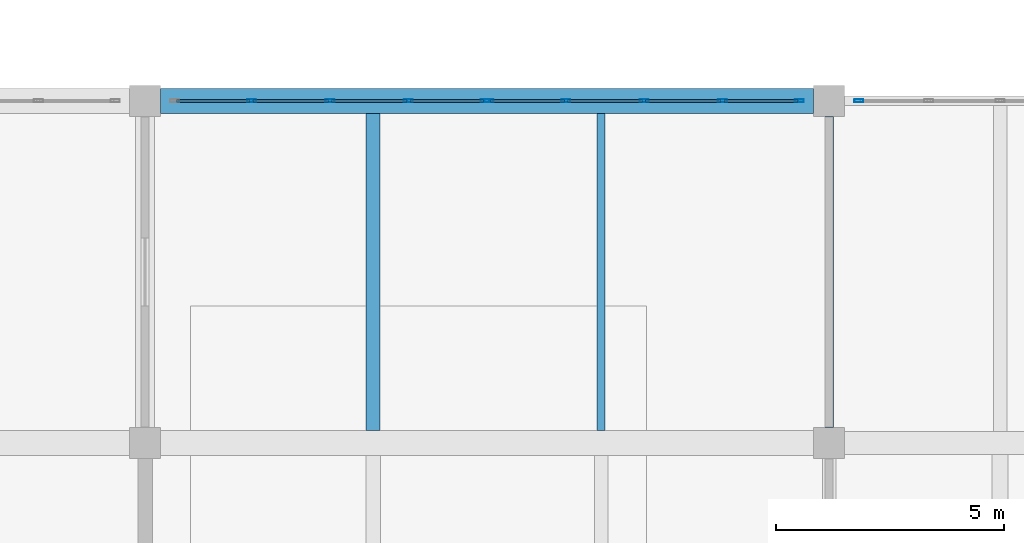
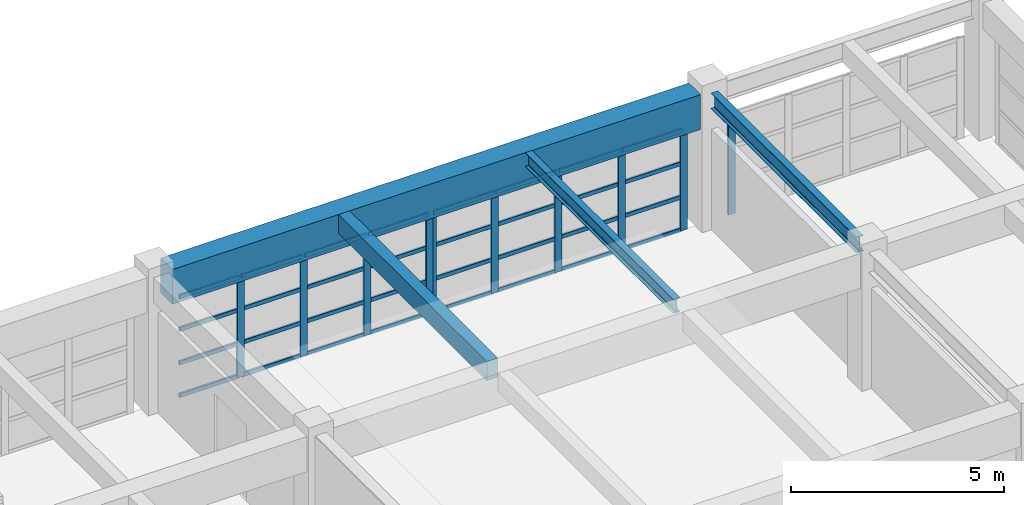
# One storey, part 21 of 132: 42 members, 4 beams, 3 elements without a shape of their own.
"""IFC4 building model written with IfcOpenShell, lengths in metres."""

import ifcopenshell
import ifcopenshell.guid

model = None  # the IFC model being written
_history = None  # IfcOwnerHistory: only IFC2X3 demands one
_inside = {}  # id of a spatial element -> (the spatial element, [elements in it])
_under = {}  # id of a project, library or spatial element -> (it, [spatial elements below it])
_declared = {}  # id of a project -> (the project, [libraries it declares])
_typed = {}  # id of a type object -> (the type object, [elements of that type])
_made_of = {}  # id of a material, layer set ... -> (it, [elements and type objects made of it])


def new_model(schema):
    """Start an empty IFC model of exactly this schema.

    Asked for "IFC4X3", IfcOpenShell would pick the latest addendum, in which some entities
    have other attributes; the version numbers below select the first issue.
    IFC2X3 requires an IfcOwnerHistory on every rooted entity: one is made here for all.
    """
    global model, _history
    if schema == "IFC4X3":
        model = ifcopenshell.file(schema_version=(4, 3, 0, 0))
    else:
        model = ifcopenshell.file(schema=schema)
    _inside.clear()
    _under.clear()
    _declared.clear()
    _typed.clear()
    _made_of.clear()
    _history = None
    if model.schema == "IFC2X3":
        org = make("IfcOrganization", Name="unknown")
        user = make(
            "IfcPersonAndOrganization",
            ThePerson=make("IfcPerson", FamilyName="unknown"),
            TheOrganization=org,
        )
        app = make(
            "IfcApplication",
            ApplicationDeveloper=org,
            Version="unknown",
            ApplicationFullName="unknown",
            ApplicationIdentifier="unknown",
        )
        _history = make(
            "IfcOwnerHistory",
            OwningUser=user,
            OwningApplication=app,
            ChangeAction="ADDED",
            CreationDate=0,
        )
    return model


def make(cls, **values):
    """One entity of the class cls with the attributes given. An attribute that is None is left unset."""
    return model.create_entity(
        cls, **{name: value for name, value in values.items() if value is not None}
    )


def rooted(cls, **values):
    """An entity with a GlobalId (a new one), such as an element, a storey or a relation."""
    return make(cls, GlobalId=ifcopenshell.guid.new(), OwnerHistory=_history, **values)


def si_unit(unit_type, name, prefix=None):
    """IfcSIUnit, for example si_unit("LENGTHUNIT", "METRE", prefix="MILLI")."""
    return make("IfcSIUnit", UnitType=unit_type, Prefix=prefix, Name=name)


def assignment(units):
    """IfcUnitAssignment: the units of a project."""
    return None if units is None else make("IfcUnitAssignment", Units=units)


def point(xyz):
    """IfcCartesianPoint."""
    return None if xyz is None else make("IfcCartesianPoint", Coordinates=xyz)


def direction(xyz):
    """IfcDirection."""
    return None if xyz is None else make("IfcDirection", DirectionRatios=xyz)


def frame(location, z_axis=None, x_axis=None):
    """IfcAxis2Placement3D, a coordinate frame: its origin and axes. An axis left out is left unset."""
    return make(
        "IfcAxis2Placement3D",
        Location=point(location),
        Axis=direction(z_axis),
        RefDirection=direction(x_axis),
    )


def frame_2d(location, x_axis=None):
    """IfcAxis2Placement2D, a coordinate frame in the plane: its origin and x axis."""
    return make(
        "IfcAxis2Placement2D", Location=point(location), RefDirection=direction(x_axis)
    )


def origin():
    """The frame at (0, 0, 0) with its axes left unset."""
    return frame((0.0, 0.0, 0.0))


def origin_2d():
    """The frame at (0, 0) in the plane with its x axis left unset."""
    return frame_2d((0.0, 0.0))


def place(relative_to, where):
    """IfcLocalPlacement: puts the frame where relative to a parent placement (None: the world)."""
    return make(
        "IfcLocalPlacement", PlacementRelTo=relative_to, RelativePlacement=where
    )


def context(
    kind, dimensions, precision=None, world=None, true_north=None, identifier=None
):
    """IfcGeometricRepresentationContext, for example the 3D "Model" context."""
    return make(
        "IfcGeometricRepresentationContext",
        ContextIdentifier=identifier,
        ContextType=kind,
        CoordinateSpaceDimension=dimensions,
        Precision=precision,
        WorldCoordinateSystem=world,
        TrueNorth=true_north,
    )


def subcontext(parent, identifier, kind, view, scale=None):
    """IfcGeometricRepresentationSubContext, for example "Body" below "Model"."""
    return make(
        "IfcGeometricRepresentationSubContext",
        ContextIdentifier=identifier,
        ContextType=kind,
        ParentContext=parent,
        TargetScale=scale,
        TargetView=view,
    )


def project(units=None, contexts=None):
    """IfcProject with its units and contexts."""
    return rooted(
        "IfcProject",
        Name="project",
        RepresentationContexts=contexts,
        UnitsInContext=assignment(units),
    )


def spatial(cls, under=None, at=None, **own):
    """A site, building, storey or space (cls), placed at a placement, below another one or the project."""
    s = rooted(cls, ObjectPlacement=at, **own)
    if under is not None:
        _under.setdefault(under.id(), (under, []))[1].append(s)
    return s


def profile(cls, at=None, kind="AREA", **sizes):
    """A parametric profile (cls). Its sizes go by their IFC names, for example OverallWidth=200.0."""
    return make(cls, ProfileType=kind, Position=at, **sizes)


def rectangle(**sizes):
    """IfcRectangleProfileDef."""
    return profile("IfcRectangleProfileDef", **sizes)


def hollow_rectangle(**sizes):
    """IfcRectangleHollowProfileDef."""
    return profile("IfcRectangleHollowProfileDef", **sizes)


def i_section(**sizes):
    """IfcIShapeProfileDef."""
    return profile("IfcIShapeProfileDef", **sizes)


def extrude(swept, where, along, depth):
    """IfcExtrudedAreaSolid: the profile swept, set in the frame where, extruded along a direction by depth."""
    return make(
        "IfcExtrudedAreaSolid",
        SweptArea=swept,
        Position=where,
        ExtrudedDirection=direction(along),
        Depth=depth,
    )


def shape(context_of_items, identifier, shape_type, items):
    """IfcShapeRepresentation: the items that make up one representation, for example the "Body"."""
    return make(
        "IfcShapeRepresentation",
        ContextOfItems=context_of_items,
        RepresentationIdentifier=identifier,
        RepresentationType=shape_type,
        Items=items,
    )


def material(Name=None, Category=None):
    """IfcMaterial."""
    return make("IfcMaterial", Name=Name, Category=Category)


def material_profile(
    of_material, cross_section, Name=None, Category=None, Priority=None
):
    """IfcMaterialProfile: a cross section and its material."""
    return make(
        "IfcMaterialProfile",
        Name=Name,
        Material=of_material,
        Profile=cross_section,
        Priority=Priority,
        Category=Category,
    )


def profile_set(profiles, Name=None, composite=None):
    """IfcMaterialProfileSet."""
    return make(
        "IfcMaterialProfileSet",
        Name=Name,
        MaterialProfiles=profiles,
        CompositeProfile=composite,
    )


def made_of(thing, what):
    """Note that an element or type object is made of a material, layer set ...; save() writes the relation."""
    if what is not None:
        _made_of.setdefault(what.id(), (what, []))[1].append(thing)
    return thing


def type_object(cls, material=None, **own):
    """A type object (cls), such as IfcWallType, which elements share."""
    return made_of(rooted(cls, **own), material)


def element(
    cls,
    number,
    at=None,
    inside=None,
    cuts=None,
    type_object=None,
    material=None,
    context=None,
    identifier="Body",
    shape_type=None,
    held_by="IfcProductDefinitionShape",
    body=None,
    shapes=None,
    **own,
):
    """One element of the class cls, such as IfcWall. Its Tag is "e" and its number.

    at: its placement. inside: the storey or other place that contains it. cuts: it is an
    opening in that element (IfcRelVoidsElement). A single representation is given by context,
    identifier, shape_type and body (its items); several are given by shapes. held_by: the class
    of the entity that holds the representations. save() writes the other relations.
    """
    e = rooted(cls, Tag="e%d" % number, ObjectPlacement=at, **own)
    if body is not None:
        shapes = [shape(context, identifier, shape_type, body)]
    if shapes is not None:
        e.Representation = make(held_by, Representations=shapes)
    if inside is not None:
        _inside.setdefault(inside.id(), (inside, []))[1].append(e)
    if cuts is not None:
        rooted(
            "IfcRelVoidsElement", RelatingBuildingElement=cuts, RelatedOpeningElement=e
        )
    if type_object is not None:
        _typed.setdefault(type_object.id(), (type_object, []))[1].append(e)
    return made_of(e, material)


def aggregate(whole, parts):
    """IfcRelAggregates: a whole, such as a stair, and the parts it consists of."""
    return rooted("IfcRelAggregates", RelatingObject=whole, RelatedObjects=parts)


def save(model, path):
    """Write the relations noted so far, then the file.

    IfcRelAggregates (storeys below a building ...), IfcRelContainedInSpatialStructure (elements
    in a storey), IfcRelDefinesByType, IfcRelAssociatesMaterial and IfcRelDeclares: one each for
    every whole, place, type object, material and project.
    """
    for whole, parts in _under.values():
        aggregate(whole, parts)
    for where, things in _inside.values():
        rooted(
            "IfcRelContainedInSpatialStructure",
            RelatedElements=things,
            RelatingStructure=where,
        )
    for kind, things in _typed.values():
        rooted("IfcRelDefinesByType", RelatedObjects=things, RelatingType=kind)
    for what, things in _made_of.values():
        rooted("IfcRelAssociatesMaterial", RelatedObjects=things, RelatingMaterial=what)
    for by, libraries in _declared.values():
        rooted("IfcRelDeclares", RelatingContext=by, RelatedDefinitions=libraries)
    model.write(path)


model = new_model("IFC4")

# Units and contexts
model_context = context("Model", 3, precision=1e-05, world=origin(), true_north=direction((0.0, 1.0)))
body_context = subcontext(model_context, "Body", "Model", "MODEL_VIEW")
ifc_project = project(units=[si_unit("LENGTHUNIT", "METRE"), si_unit("AREAUNIT", "SQUARE_METRE"), si_unit("VOLUMEUNIT", "CUBIC_METRE"), si_unit("PLANEANGLEUNIT", "RADIAN"), si_unit("MASSUNIT", "GRAM", prefix="KILO")], contexts=[model_context])

# Site, building, storey
site_placement = place(None, origin())
site = spatial("IfcSite", under=ifc_project, at=site_placement, CompositionType="ELEMENT")
building_placement = place(site_placement, origin())
building = spatial("IfcBuilding", under=site, at=building_placement, Name="Qasida Concert Hall", CompositionType="ELEMENT")
storey_placement = place(building_placement, frame((0.0, 0.0, 4.800048828125)))
storey = spatial("IfcBuildingStorey", under=building, at=storey_placement, Name="L01", CompositionType="ELEMENT", Elevation=4.800048828125)

# Beams
ifc_material_1 = material(Name="Steel S355J2", Category="steel")
ifc_material_profile_1 = material_profile(ifc_material_1, i_section(OverallWidth=0.18994140625, OverallDepth=0.449951171875, WebThickness=0.009521484375, FlangeThickness=0.0146484375, FilletRadius=0.02099609375, at=origin_2d()), Name="IPE 450")
ifc_profile_set_1 = profile_set([ifc_material_profile_1], Name="Steel S355J2")
beam_type_1 = type_object("IfcBeamType", Name="BM-B5", PredefinedType="BEAM", material=ifc_profile_set_1)
beam_1_placement = place(storey_placement, frame((30.0, 45.340087890625, 3.695068359375), z_axis=(0.0, 1.0, 0.0), x_axis=(-1.0, 0.0, 0.0)))
element("IfcBeam", 1, at=beam_1_placement, inside=storey, type_object=beam_type_1, Name="L01 girder 0940", PredefinedType="BEAM", context=body_context, shape_type="SweptSolid", body=[
    extrude(i_section(OverallWidth=0.18994140625, OverallDepth=0.449951171875, WebThickness=0.009521484375, FlangeThickness=0.0146484375, FilletRadius=0.02099609375, at=origin_2d()), origin(), (0.0, 0.0, 1.0), 6.81982421875),
])
ifc_material_2 = material(Name="Concrete C40/50", Category="concrete")
ifc_material_profile_2 = material_profile(ifc_material_2, rectangle(XDim=0.550048828125, YDim=1.0, at=origin_2d()), Name="RC 550x1000")
ifc_profile_set_2 = profile_set([ifc_material_profile_2], Name="Concrete C40/50")
beam_type_2 = type_object("IfcBeamType", Name="BM-G3", PredefinedType="USERDEFINED", material=ifc_profile_set_2)
beam_2_placement = place(storey_placement, frame((15.340087890625, 52.5, 3.419921875), z_axis=(1.0, 0.0, 0.0), x_axis=(0.0, 1.0, 0.0)))
element("IfcBeam", 2, at=beam_2_placement, inside=storey, type_object=beam_type_2, Name="Primary girder 0918", ObjectType="GIRDER", PredefinedType="USERDEFINED", context=body_context, shape_type="SweptSolid", body=[
    extrude(rectangle(XDim=0.550048828125, YDim=1.0, at=origin_2d()), origin(), (0.0, 0.0, 1.0), 14.31982421875),
])
ifc_material_profile_3 = material_profile(ifc_material_2, rectangle(XDim=0.300048828125, YDim=0.550048828125, at=origin_2d()), Name="RC 300x550")
ifc_profile_set_3 = profile_set([ifc_material_profile_3], Name="Concrete C40/50")
beam_type_3 = type_object("IfcBeamType", Name="BM-J1", PredefinedType="JOIST", material=ifc_profile_set_3)
beam_3_placement = place(storey_placement, frame((20.0, 45.27490234375, 3.64501953125), z_axis=(0.0, 1.0, 0.0), x_axis=(-1.0, 0.0, 0.0)))
element("IfcBeam", 3, at=beam_3_placement, inside=storey, type_object=beam_type_3, Name="L01 secondary joist 0968", PredefinedType="JOIST", context=body_context, shape_type="SweptSolid", body=[
    extrude(rectangle(XDim=0.300048828125, YDim=0.550048828125, at=origin_2d()), origin(), (0.0, 0.0, 1.0), 6.9501953125),
])
ifc_material_profile_4 = material_profile(ifc_material_1, i_section(OverallWidth=0.179931640625, OverallDepth=0.39990234375, WebThickness=0.008544921875, FlangeThickness=0.013427734375, FilletRadius=0.02099609375, at=origin_2d()), Name="IPE 400")
ifc_profile_set_4 = profile_set([ifc_material_profile_4], Name="Steel S355J2")
beam_type_4 = type_object("IfcBeamType", Name="BM-J3", PredefinedType="JOIST", material=ifc_profile_set_4)
beam_4_placement = place(storey_placement, frame((25.0, 45.27490234375, 3.719970703125), z_axis=(0.0, 1.0, 0.0), x_axis=(-1.0, 0.0, 0.0)))
element("IfcBeam", 4, at=beam_4_placement, inside=storey, type_object=beam_type_4, Name="L01 secondary joist 0969", PredefinedType="JOIST", context=body_context, shape_type="SweptSolid", body=[
    extrude(i_section(OverallWidth=0.179931640625, OverallDepth=0.39990234375, WebThickness=0.008544921875, FlangeThickness=0.013427734375, FilletRadius=0.02099609375, at=origin_2d()), origin(), (0.0, 0.0, 1.0), 6.9501953125),
])

# Curtain wall, members
ifc_material_3 = material(Name="Architectural bronze-anodized aluminium and low-E glass", Category="aluminium")
curtain_wall_type = type_object("IfcCurtainWallType", Name="CW-07", PredefinedType="NOTDEFINED", material=ifc_material_3)
curtain_wall_1_placement = place(storey_placement, origin())
curtain_wall_1 = element("IfcCurtainWall", 5, at=curtain_wall_1_placement, inside=storey, type_object=curtain_wall_type, Name="L01 curtain wall CW-07 0086", PredefinedType="NOTDEFINED")
ifc_material_4 = material(Name="Architectural bronze-anodized aluminium EN AW-6063", Category="aluminium")
ifc_material_profile_5 = material_profile(ifc_material_4, hollow_rectangle(XDim=0.06494140625, YDim=0.199951171875, WallThickness=0.0048828125, InnerFilletRadius=0.0048828125, OuterFilletRadius=0.010009765625, at=origin_2d()), Name="CWM 200x65x5")
ifc_profile_set_5 = profile_set([ifc_material_profile_5], Name="Architectural bronze-anodized aluminium EN AW-6063")
member_type_1 = type_object("IfcMemberType", Name="MB-CWM-2", PredefinedType="MULLION", material=ifc_profile_set_5)
member_1_placement = place(storey_placement, frame((17.33740234375, 52.5, 0.0), z_axis=(0.0, 0.0, 1.0), x_axis=(0.0, 1.0, 0.0)))
member_1 = element("IfcMember", 6, at=member_1_placement, type_object=member_type_1, Name="CW-07 mullion 2", PredefinedType="MULLION", context=body_context, shape_type="SweptSolid", body=[
    extrude(hollow_rectangle(XDim=0.06494140625, YDim=0.199951171875, WallThickness=0.0048828125, InnerFilletRadius=0.0048828125, OuterFilletRadius=0.010009765625, at=origin_2d()), origin(), (0.0, 0.0, 1.0), 2.889892578125),
])
member_2_placement = place(storey_placement, frame((19.054931640625, 52.5, 0.0), z_axis=(0.0, 0.0, 1.0), x_axis=(0.0, 1.0, 0.0)))
member_2 = element("IfcMember", 7, at=member_2_placement, type_object=member_type_1, Name="CW-07 mullion 3", PredefinedType="MULLION", context=body_context, shape_type="SweptSolid", body=[
    extrude(hollow_rectangle(XDim=0.06494140625, YDim=0.199951171875, WallThickness=0.0048828125, InnerFilletRadius=0.0048828125, OuterFilletRadius=0.010009765625, at=origin_2d()), origin(), (0.0, 0.0, 1.0), 2.889892578125),
])
member_3_placement = place(storey_placement, frame((20.7724609375, 52.5, 0.0), z_axis=(0.0, 0.0, 1.0), x_axis=(0.0, 1.0, 0.0)))
member_3 = element("IfcMember", 8, at=member_3_placement, type_object=member_type_1, Name="CW-07 mullion 4", PredefinedType="MULLION", context=body_context, shape_type="SweptSolid", body=[
    extrude(hollow_rectangle(XDim=0.06494140625, YDim=0.199951171875, WallThickness=0.0048828125, InnerFilletRadius=0.0048828125, OuterFilletRadius=0.010009765625, at=origin_2d()), origin(), (0.0, 0.0, 1.0), 2.889892578125),
])
member_4_placement = place(storey_placement, frame((22.45751953125, 52.5, 0.0), z_axis=(0.0, 0.0, 1.0), x_axis=(0.0, 1.0, 0.0)))
member_4 = element("IfcMember", 9, at=member_4_placement, type_object=member_type_1, Name="CW-07 mullion 5", PredefinedType="MULLION", context=body_context, shape_type="SweptSolid", body=[
    extrude(hollow_rectangle(XDim=0.06494140625, YDim=0.199951171875, WallThickness=0.0048828125, InnerFilletRadius=0.0048828125, OuterFilletRadius=0.010009765625, at=origin_2d()), origin(), (0.0, 0.0, 1.0), 2.889892578125),
])

curtain_wall_2_placement = place(storey_placement, origin())
curtain_wall_2 = element("IfcCurtainWall", 10, at=curtain_wall_2_placement, inside=storey, type_object=curtain_wall_type, Name="L01 curtain wall CW-07 0088", PredefinedType="NOTDEFINED")
member_5_placement = place(storey_placement, frame((22.54248046875, 52.5, 0.0), z_axis=(0.0, 0.0, 1.0), x_axis=(0.0, 1.0, 0.0)))
member_5 = element("IfcMember", 11, at=member_5_placement, type_object=member_type_1, Name="CW-07 mullion 1", PredefinedType="MULLION", context=body_context, shape_type="SweptSolid", body=[
    extrude(hollow_rectangle(XDim=0.06494140625, YDim=0.199951171875, WallThickness=0.0048828125, InnerFilletRadius=0.0048828125, OuterFilletRadius=0.010009765625, at=origin_2d()), origin(), (0.0, 0.0, 1.0), 2.889892578125),
])
member_6_placement = place(storey_placement, frame((24.2275390625, 52.5, 0.0), z_axis=(0.0, 0.0, 1.0), x_axis=(0.0, 1.0, 0.0)))
member_6 = element("IfcMember", 12, at=member_6_placement, type_object=member_type_1, Name="CW-07 mullion 2", PredefinedType="MULLION", context=body_context, shape_type="SweptSolid", body=[
    extrude(hollow_rectangle(XDim=0.06494140625, YDim=0.199951171875, WallThickness=0.0048828125, InnerFilletRadius=0.0048828125, OuterFilletRadius=0.010009765625, at=origin_2d()), origin(), (0.0, 0.0, 1.0), 2.889892578125),
])
member_7_placement = place(storey_placement, frame((25.945068359375, 52.5, 0.0), z_axis=(0.0, 0.0, 1.0), x_axis=(0.0, 1.0, 0.0)))
member_7 = element("IfcMember", 13, at=member_7_placement, type_object=member_type_1, Name="CW-07 mullion 3", PredefinedType="MULLION", context=body_context, shape_type="SweptSolid", body=[
    extrude(hollow_rectangle(XDim=0.06494140625, YDim=0.199951171875, WallThickness=0.0048828125, InnerFilletRadius=0.0048828125, OuterFilletRadius=0.010009765625, at=origin_2d()), origin(), (0.0, 0.0, 1.0), 2.889892578125),
])
member_8_placement = place(storey_placement, frame((27.66259765625, 52.5, 0.0), z_axis=(0.0, 0.0, 1.0), x_axis=(0.0, 1.0, 0.0)))
member_8 = element("IfcMember", 14, at=member_8_placement, type_object=member_type_1, Name="CW-07 mullion 4", PredefinedType="MULLION", context=body_context, shape_type="SweptSolid", body=[
    extrude(hollow_rectangle(XDim=0.06494140625, YDim=0.199951171875, WallThickness=0.0048828125, InnerFilletRadius=0.0048828125, OuterFilletRadius=0.010009765625, at=origin_2d()), origin(), (0.0, 0.0, 1.0), 2.889892578125),
])
member_9_placement = place(storey_placement, frame((29.347412109375, 52.5, 0.0), z_axis=(0.0, 0.0, 1.0), x_axis=(0.0, 1.0, 0.0)))
member_9 = element("IfcMember", 15, at=member_9_placement, type_object=member_type_1, Name="CW-07 mullion 5", PredefinedType="MULLION", context=body_context, shape_type="SweptSolid", body=[
    extrude(hollow_rectangle(XDim=0.06494140625, YDim=0.199951171875, WallThickness=0.0048828125, InnerFilletRadius=0.0048828125, OuterFilletRadius=0.010009765625, at=origin_2d()), origin(), (0.0, 0.0, 1.0), 2.889892578125),
])

# Curtain wall, member
curtain_wall_3_placement = place(storey_placement, origin())
curtain_wall_3 = element("IfcCurtainWall", 16, at=curtain_wall_3_placement, inside=storey, type_object=curtain_wall_type, Name="L01 curtain wall CW-07 0090", PredefinedType="NOTDEFINED")
member_10_placement = place(storey_placement, frame((30.652587890625, 52.5, 0.0), z_axis=(0.0, 0.0, 1.0), x_axis=(0.0, 1.0, 0.0)))
member_10 = element("IfcMember", 17, at=member_10_placement, type_object=member_type_1, Name="CW-07 mullion 1", PredefinedType="MULLION", context=body_context, shape_type="SweptSolid", body=[
    extrude(hollow_rectangle(XDim=0.06494140625, YDim=0.199951171875, WallThickness=0.0048828125, InnerFilletRadius=0.0048828125, OuterFilletRadius=0.010009765625, at=origin_2d()), origin(), (0.0, 0.0, 1.0), 2.889892578125),
])
aggregate(curtain_wall_3, [member_10])

# Member
ifc_material_profile_6 = material_profile(ifc_material_4, hollow_rectangle(XDim=0.06005859375, YDim=0.1201171875, WallThickness=0.00390625, InnerFilletRadius=0.00390625, OuterFilletRadius=0.008056640625, at=origin_2d()), Name="CWT 120x60x4")
ifc_profile_set_6 = profile_set([ifc_material_profile_6], Name="Architectural bronze-anodized aluminium EN AW-6063")
member_type_2 = type_object("IfcMemberType", Name="MB-CWT-2", PredefinedType="USERDEFINED", material=ifc_profile_set_6)
member_11_placement = place(storey_placement, frame((15.68505859375, 52.5, 0.030029296875), z_axis=(1.0, 0.0, 0.0), x_axis=(0.0, 1.0, 0.0)))
member_11 = element("IfcMember", 18, at=member_11_placement, type_object=member_type_2, Name="CW-07 transom 1.1", ObjectType="TRANSOM", PredefinedType="USERDEFINED", context=body_context, shape_type="SweptSolid", body=[
    extrude(hollow_rectangle(XDim=0.06005859375, YDim=0.1201171875, WallThickness=0.00390625, InnerFilletRadius=0.00390625, OuterFilletRadius=0.008056640625, at=origin_2d()), origin(), (0.0, 0.0, 1.0), 1.619873046875),
])

member_12_placement = place(storey_placement, frame((15.68505859375, 52.5, 0.963134765625), z_axis=(1.0, 0.0, 0.0), x_axis=(0.0, 1.0, 0.0)))
member_12 = element("IfcMember", 19, at=member_12_placement, type_object=member_type_2, Name="CW-07 transom 1.2", ObjectType="TRANSOM", PredefinedType="USERDEFINED", context=body_context, shape_type="SweptSolid", body=[
    extrude(hollow_rectangle(XDim=0.06005859375, YDim=0.1201171875, WallThickness=0.00390625, InnerFilletRadius=0.00390625, OuterFilletRadius=0.008056640625, at=origin_2d()), origin(), (0.0, 0.0, 1.0), 1.619873046875),
])

member_13_placement = place(storey_placement, frame((15.68505859375, 52.5, 1.9267578125), z_axis=(1.0, 0.0, 0.0), x_axis=(0.0, 1.0, 0.0)))
member_13 = element("IfcMember", 20, at=member_13_placement, type_object=member_type_2, Name="CW-07 transom 1.3", ObjectType="TRANSOM", PredefinedType="USERDEFINED", context=body_context, shape_type="SweptSolid", body=[
    extrude(hollow_rectangle(XDim=0.06005859375, YDim=0.1201171875, WallThickness=0.00390625, InnerFilletRadius=0.00390625, OuterFilletRadius=0.008056640625, at=origin_2d()), origin(), (0.0, 0.0, 1.0), 1.619873046875),
])

member_14_placement = place(storey_placement, frame((15.68505859375, 52.5, 2.85986328125), z_axis=(1.0, 0.0, 0.0), x_axis=(0.0, 1.0, 0.0)))
member_14 = element("IfcMember", 21, at=member_14_placement, type_object=member_type_2, Name="CW-07 transom 1.4", ObjectType="TRANSOM", PredefinedType="USERDEFINED", context=body_context, shape_type="SweptSolid", body=[
    extrude(hollow_rectangle(XDim=0.06005859375, YDim=0.1201171875, WallThickness=0.00390625, InnerFilletRadius=0.00390625, OuterFilletRadius=0.008056640625, at=origin_2d()), origin(), (0.0, 0.0, 1.0), 1.619873046875),
])

member_15_placement = place(storey_placement, frame((17.3701171875, 52.5, 0.030029296875), z_axis=(1.0, 0.0, 0.0), x_axis=(0.0, 1.0, 0.0)))
member_15 = element("IfcMember", 22, at=member_15_placement, type_object=member_type_2, Name="CW-07 transom 2.1", ObjectType="TRANSOM", PredefinedType="USERDEFINED", context=body_context, shape_type="SweptSolid", body=[
    extrude(hollow_rectangle(XDim=0.06005859375, YDim=0.1201171875, WallThickness=0.00390625, InnerFilletRadius=0.00390625, OuterFilletRadius=0.008056640625, at=origin_2d()), origin(), (0.0, 0.0, 1.0), 1.65234375),
])

member_16_placement = place(storey_placement, frame((17.3701171875, 52.5, 0.963134765625), z_axis=(1.0, 0.0, 0.0), x_axis=(0.0, 1.0, 0.0)))
member_16 = element("IfcMember", 23, at=member_16_placement, type_object=member_type_2, Name="CW-07 transom 2.2", ObjectType="TRANSOM", PredefinedType="USERDEFINED", context=body_context, shape_type="SweptSolid", body=[
    extrude(hollow_rectangle(XDim=0.06005859375, YDim=0.1201171875, WallThickness=0.00390625, InnerFilletRadius=0.00390625, OuterFilletRadius=0.008056640625, at=origin_2d()), origin(), (0.0, 0.0, 1.0), 1.65234375),
])

member_17_placement = place(storey_placement, frame((17.3701171875, 52.5, 1.9267578125), z_axis=(1.0, 0.0, 0.0), x_axis=(0.0, 1.0, 0.0)))
member_17 = element("IfcMember", 24, at=member_17_placement, type_object=member_type_2, Name="CW-07 transom 2.3", ObjectType="TRANSOM", PredefinedType="USERDEFINED", context=body_context, shape_type="SweptSolid", body=[
    extrude(hollow_rectangle(XDim=0.06005859375, YDim=0.1201171875, WallThickness=0.00390625, InnerFilletRadius=0.00390625, OuterFilletRadius=0.008056640625, at=origin_2d()), origin(), (0.0, 0.0, 1.0), 1.65234375),
])

member_18_placement = place(storey_placement, frame((17.3701171875, 52.5, 2.85986328125), z_axis=(1.0, 0.0, 0.0), x_axis=(0.0, 1.0, 0.0)))
member_18 = element("IfcMember", 25, at=member_18_placement, type_object=member_type_2, Name="CW-07 transom 2.4", ObjectType="TRANSOM", PredefinedType="USERDEFINED", context=body_context, shape_type="SweptSolid", body=[
    extrude(hollow_rectangle(XDim=0.06005859375, YDim=0.1201171875, WallThickness=0.00390625, InnerFilletRadius=0.00390625, OuterFilletRadius=0.008056640625, at=origin_2d()), origin(), (0.0, 0.0, 1.0), 1.65234375),
])

member_19_placement = place(storey_placement, frame((19.08740234375, 52.5, 0.030029296875), z_axis=(1.0, 0.0, 0.0), x_axis=(0.0, 1.0, 0.0)))
member_19 = element("IfcMember", 26, at=member_19_placement, type_object=member_type_2, Name="CW-07 transom 3.1", ObjectType="TRANSOM", PredefinedType="USERDEFINED", context=body_context, shape_type="SweptSolid", body=[
    extrude(hollow_rectangle(XDim=0.06005859375, YDim=0.1201171875, WallThickness=0.00390625, InnerFilletRadius=0.00390625, OuterFilletRadius=0.008056640625, at=origin_2d()), origin(), (0.0, 0.0, 1.0), 1.652587890625),
])

member_20_placement = place(storey_placement, frame((19.08740234375, 52.5, 0.963134765625), z_axis=(1.0, 0.0, 0.0), x_axis=(0.0, 1.0, 0.0)))
member_20 = element("IfcMember", 27, at=member_20_placement, type_object=member_type_2, Name="CW-07 transom 3.2", ObjectType="TRANSOM", PredefinedType="USERDEFINED", context=body_context, shape_type="SweptSolid", body=[
    extrude(hollow_rectangle(XDim=0.06005859375, YDim=0.1201171875, WallThickness=0.00390625, InnerFilletRadius=0.00390625, OuterFilletRadius=0.008056640625, at=origin_2d()), origin(), (0.0, 0.0, 1.0), 1.652587890625),
])

member_21_placement = place(storey_placement, frame((19.08740234375, 52.5, 1.9267578125), z_axis=(1.0, 0.0, 0.0), x_axis=(0.0, 1.0, 0.0)))
member_21 = element("IfcMember", 28, at=member_21_placement, type_object=member_type_2, Name="CW-07 transom 3.3", ObjectType="TRANSOM", PredefinedType="USERDEFINED", context=body_context, shape_type="SweptSolid", body=[
    extrude(hollow_rectangle(XDim=0.06005859375, YDim=0.1201171875, WallThickness=0.00390625, InnerFilletRadius=0.00390625, OuterFilletRadius=0.008056640625, at=origin_2d()), origin(), (0.0, 0.0, 1.0), 1.652587890625),
])

member_22_placement = place(storey_placement, frame((19.08740234375, 52.5, 2.85986328125), z_axis=(1.0, 0.0, 0.0), x_axis=(0.0, 1.0, 0.0)))
member_22 = element("IfcMember", 29, at=member_22_placement, type_object=member_type_2, Name="CW-07 transom 3.4", ObjectType="TRANSOM", PredefinedType="USERDEFINED", context=body_context, shape_type="SweptSolid", body=[
    extrude(hollow_rectangle(XDim=0.06005859375, YDim=0.1201171875, WallThickness=0.00390625, InnerFilletRadius=0.00390625, OuterFilletRadius=0.008056640625, at=origin_2d()), origin(), (0.0, 0.0, 1.0), 1.652587890625),
])

member_23_placement = place(storey_placement, frame((20.804931640625, 52.5, 0.030029296875), z_axis=(1.0, 0.0, 0.0), x_axis=(0.0, 1.0, 0.0)))
member_23 = element("IfcMember", 30, at=member_23_placement, type_object=member_type_2, Name="CW-07 transom 4.1", ObjectType="TRANSOM", PredefinedType="USERDEFINED", context=body_context, shape_type="SweptSolid", body=[
    extrude(hollow_rectangle(XDim=0.06005859375, YDim=0.1201171875, WallThickness=0.00390625, InnerFilletRadius=0.00390625, OuterFilletRadius=0.008056640625, at=origin_2d()), origin(), (0.0, 0.0, 1.0), 1.6201171875),
])

member_24_placement = place(storey_placement, frame((20.804931640625, 52.5, 0.963134765625), z_axis=(1.0, 0.0, 0.0), x_axis=(0.0, 1.0, 0.0)))
member_24 = element("IfcMember", 31, at=member_24_placement, type_object=member_type_2, Name="CW-07 transom 4.2", ObjectType="TRANSOM", PredefinedType="USERDEFINED", context=body_context, shape_type="SweptSolid", body=[
    extrude(hollow_rectangle(XDim=0.06005859375, YDim=0.1201171875, WallThickness=0.00390625, InnerFilletRadius=0.00390625, OuterFilletRadius=0.008056640625, at=origin_2d()), origin(), (0.0, 0.0, 1.0), 1.6201171875),
])

member_25_placement = place(storey_placement, frame((20.804931640625, 52.5, 1.9267578125), z_axis=(1.0, 0.0, 0.0), x_axis=(0.0, 1.0, 0.0)))
member_25 = element("IfcMember", 32, at=member_25_placement, type_object=member_type_2, Name="CW-07 transom 4.3", ObjectType="TRANSOM", PredefinedType="USERDEFINED", context=body_context, shape_type="SweptSolid", body=[
    extrude(hollow_rectangle(XDim=0.06005859375, YDim=0.1201171875, WallThickness=0.00390625, InnerFilletRadius=0.00390625, OuterFilletRadius=0.008056640625, at=origin_2d()), origin(), (0.0, 0.0, 1.0), 1.6201171875),
])

member_26_placement = place(storey_placement, frame((20.804931640625, 52.5, 2.85986328125), z_axis=(1.0, 0.0, 0.0), x_axis=(0.0, 1.0, 0.0)))
member_26 = element("IfcMember", 33, at=member_26_placement, type_object=member_type_2, Name="CW-07 transom 4.4", ObjectType="TRANSOM", PredefinedType="USERDEFINED", context=body_context, shape_type="SweptSolid", body=[
    extrude(hollow_rectangle(XDim=0.06005859375, YDim=0.1201171875, WallThickness=0.00390625, InnerFilletRadius=0.00390625, OuterFilletRadius=0.008056640625, at=origin_2d()), origin(), (0.0, 0.0, 1.0), 1.6201171875),
])

aggregate(curtain_wall_1, [member_1, member_2, member_3, member_4, member_11, member_12, member_13, member_14, member_15, member_16, member_17, member_18, member_19, member_20, member_21, member_22, member_23, member_24, member_25, member_26])

member_27_placement = place(storey_placement, frame((22.574951171875, 52.5, 0.030029296875), z_axis=(1.0, 0.0, 0.0), x_axis=(0.0, 1.0, 0.0)))
member_27 = element("IfcMember", 34, at=member_27_placement, type_object=member_type_2, Name="CW-07 transom 1.1", ObjectType="TRANSOM", PredefinedType="USERDEFINED", context=body_context, shape_type="SweptSolid", body=[
    extrude(hollow_rectangle(XDim=0.06005859375, YDim=0.1201171875, WallThickness=0.00390625, InnerFilletRadius=0.00390625, OuterFilletRadius=0.008056640625, at=origin_2d()), origin(), (0.0, 0.0, 1.0), 1.6201171875),
])

member_28_placement = place(storey_placement, frame((22.574951171875, 52.5, 0.963134765625), z_axis=(1.0, 0.0, 0.0), x_axis=(0.0, 1.0, 0.0)))
member_28 = element("IfcMember", 35, at=member_28_placement, type_object=member_type_2, Name="CW-07 transom 1.2", ObjectType="TRANSOM", PredefinedType="USERDEFINED", context=body_context, shape_type="SweptSolid", body=[
    extrude(hollow_rectangle(XDim=0.06005859375, YDim=0.1201171875, WallThickness=0.00390625, InnerFilletRadius=0.00390625, OuterFilletRadius=0.008056640625, at=origin_2d()), origin(), (0.0, 0.0, 1.0), 1.6201171875),
])

member_29_placement = place(storey_placement, frame((22.574951171875, 52.5, 1.9267578125), z_axis=(1.0, 0.0, 0.0), x_axis=(0.0, 1.0, 0.0)))
member_29 = element("IfcMember", 36, at=member_29_placement, type_object=member_type_2, Name="CW-07 transom 1.3", ObjectType="TRANSOM", PredefinedType="USERDEFINED", context=body_context, shape_type="SweptSolid", body=[
    extrude(hollow_rectangle(XDim=0.06005859375, YDim=0.1201171875, WallThickness=0.00390625, InnerFilletRadius=0.00390625, OuterFilletRadius=0.008056640625, at=origin_2d()), origin(), (0.0, 0.0, 1.0), 1.6201171875),
])

member_30_placement = place(storey_placement, frame((22.574951171875, 52.5, 2.85986328125), z_axis=(1.0, 0.0, 0.0), x_axis=(0.0, 1.0, 0.0)))
member_30 = element("IfcMember", 37, at=member_30_placement, type_object=member_type_2, Name="CW-07 transom 1.4", ObjectType="TRANSOM", PredefinedType="USERDEFINED", context=body_context, shape_type="SweptSolid", body=[
    extrude(hollow_rectangle(XDim=0.06005859375, YDim=0.1201171875, WallThickness=0.00390625, InnerFilletRadius=0.00390625, OuterFilletRadius=0.008056640625, at=origin_2d()), origin(), (0.0, 0.0, 1.0), 1.6201171875),
])

member_31_placement = place(storey_placement, frame((24.260009765625, 52.5, 0.030029296875), z_axis=(1.0, 0.0, 0.0), x_axis=(0.0, 1.0, 0.0)))
member_31 = element("IfcMember", 38, at=member_31_placement, type_object=member_type_2, Name="CW-07 transom 2.1", ObjectType="TRANSOM", PredefinedType="USERDEFINED", context=body_context, shape_type="SweptSolid", body=[
    extrude(hollow_rectangle(XDim=0.06005859375, YDim=0.1201171875, WallThickness=0.00390625, InnerFilletRadius=0.00390625, OuterFilletRadius=0.008056640625, at=origin_2d()), origin(), (0.0, 0.0, 1.0), 1.652587890625),
])

member_32_placement = place(storey_placement, frame((24.260009765625, 52.5, 0.963134765625), z_axis=(1.0, 0.0, 0.0), x_axis=(0.0, 1.0, 0.0)))
member_32 = element("IfcMember", 39, at=member_32_placement, type_object=member_type_2, Name="CW-07 transom 2.2", ObjectType="TRANSOM", PredefinedType="USERDEFINED", context=body_context, shape_type="SweptSolid", body=[
    extrude(hollow_rectangle(XDim=0.06005859375, YDim=0.1201171875, WallThickness=0.00390625, InnerFilletRadius=0.00390625, OuterFilletRadius=0.008056640625, at=origin_2d()), origin(), (0.0, 0.0, 1.0), 1.652587890625),
])

member_33_placement = place(storey_placement, frame((24.260009765625, 52.5, 1.9267578125), z_axis=(1.0, 0.0, 0.0), x_axis=(0.0, 1.0, 0.0)))
member_33 = element("IfcMember", 40, at=member_33_placement, type_object=member_type_2, Name="CW-07 transom 2.3", ObjectType="TRANSOM", PredefinedType="USERDEFINED", context=body_context, shape_type="SweptSolid", body=[
    extrude(hollow_rectangle(XDim=0.06005859375, YDim=0.1201171875, WallThickness=0.00390625, InnerFilletRadius=0.00390625, OuterFilletRadius=0.008056640625, at=origin_2d()), origin(), (0.0, 0.0, 1.0), 1.652587890625),
])

member_34_placement = place(storey_placement, frame((24.260009765625, 52.5, 2.85986328125), z_axis=(1.0, 0.0, 0.0), x_axis=(0.0, 1.0, 0.0)))
member_34 = element("IfcMember", 41, at=member_34_placement, type_object=member_type_2, Name="CW-07 transom 2.4", ObjectType="TRANSOM", PredefinedType="USERDEFINED", context=body_context, shape_type="SweptSolid", body=[
    extrude(hollow_rectangle(XDim=0.06005859375, YDim=0.1201171875, WallThickness=0.00390625, InnerFilletRadius=0.00390625, OuterFilletRadius=0.008056640625, at=origin_2d()), origin(), (0.0, 0.0, 1.0), 1.652587890625),
])

member_35_placement = place(storey_placement, frame((25.9775390625, 52.5, 0.030029296875), z_axis=(1.0, 0.0, 0.0), x_axis=(0.0, 1.0, 0.0)))
member_35 = element("IfcMember", 42, at=member_35_placement, type_object=member_type_2, Name="CW-07 transom 3.1", ObjectType="TRANSOM", PredefinedType="USERDEFINED", context=body_context, shape_type="SweptSolid", body=[
    extrude(hollow_rectangle(XDim=0.06005859375, YDim=0.1201171875, WallThickness=0.00390625, InnerFilletRadius=0.00390625, OuterFilletRadius=0.008056640625, at=origin_2d()), origin(), (0.0, 0.0, 1.0), 1.65234375),
])

member_36_placement = place(storey_placement, frame((25.9775390625, 52.5, 0.963134765625), z_axis=(1.0, 0.0, 0.0), x_axis=(0.0, 1.0, 0.0)))
member_36 = element("IfcMember", 43, at=member_36_placement, type_object=member_type_2, Name="CW-07 transom 3.2", ObjectType="TRANSOM", PredefinedType="USERDEFINED", context=body_context, shape_type="SweptSolid", body=[
    extrude(hollow_rectangle(XDim=0.06005859375, YDim=0.1201171875, WallThickness=0.00390625, InnerFilletRadius=0.00390625, OuterFilletRadius=0.008056640625, at=origin_2d()), origin(), (0.0, 0.0, 1.0), 1.65234375),
])

member_37_placement = place(storey_placement, frame((25.9775390625, 52.5, 1.9267578125), z_axis=(1.0, 0.0, 0.0), x_axis=(0.0, 1.0, 0.0)))
member_37 = element("IfcMember", 44, at=member_37_placement, type_object=member_type_2, Name="CW-07 transom 3.3", ObjectType="TRANSOM", PredefinedType="USERDEFINED", context=body_context, shape_type="SweptSolid", body=[
    extrude(hollow_rectangle(XDim=0.06005859375, YDim=0.1201171875, WallThickness=0.00390625, InnerFilletRadius=0.00390625, OuterFilletRadius=0.008056640625, at=origin_2d()), origin(), (0.0, 0.0, 1.0), 1.65234375),
])

member_38_placement = place(storey_placement, frame((25.9775390625, 52.5, 2.85986328125), z_axis=(1.0, 0.0, 0.0), x_axis=(0.0, 1.0, 0.0)))
member_38 = element("IfcMember", 45, at=member_38_placement, type_object=member_type_2, Name="CW-07 transom 3.4", ObjectType="TRANSOM", PredefinedType="USERDEFINED", context=body_context, shape_type="SweptSolid", body=[
    extrude(hollow_rectangle(XDim=0.06005859375, YDim=0.1201171875, WallThickness=0.00390625, InnerFilletRadius=0.00390625, OuterFilletRadius=0.008056640625, at=origin_2d()), origin(), (0.0, 0.0, 1.0), 1.65234375),
])

member_39_placement = place(storey_placement, frame((27.695068359375, 52.5, 0.030029296875), z_axis=(1.0, 0.0, 0.0), x_axis=(0.0, 1.0, 0.0)))
member_39 = element("IfcMember", 46, at=member_39_placement, type_object=member_type_2, Name="CW-07 transom 4.1", ObjectType="TRANSOM", PredefinedType="USERDEFINED", context=body_context, shape_type="SweptSolid", body=[
    extrude(hollow_rectangle(XDim=0.06005859375, YDim=0.1201171875, WallThickness=0.00390625, InnerFilletRadius=0.00390625, OuterFilletRadius=0.008056640625, at=origin_2d()), origin(), (0.0, 0.0, 1.0), 1.619873046875),
])

member_40_placement = place(storey_placement, frame((27.695068359375, 52.5, 0.963134765625), z_axis=(1.0, 0.0, 0.0), x_axis=(0.0, 1.0, 0.0)))
member_40 = element("IfcMember", 47, at=member_40_placement, type_object=member_type_2, Name="CW-07 transom 4.2", ObjectType="TRANSOM", PredefinedType="USERDEFINED", context=body_context, shape_type="SweptSolid", body=[
    extrude(hollow_rectangle(XDim=0.06005859375, YDim=0.1201171875, WallThickness=0.00390625, InnerFilletRadius=0.00390625, OuterFilletRadius=0.008056640625, at=origin_2d()), origin(), (0.0, 0.0, 1.0), 1.619873046875),
])

member_41_placement = place(storey_placement, frame((27.695068359375, 52.5, 1.9267578125), z_axis=(1.0, 0.0, 0.0), x_axis=(0.0, 1.0, 0.0)))
member_41 = element("IfcMember", 48, at=member_41_placement, type_object=member_type_2, Name="CW-07 transom 4.3", ObjectType="TRANSOM", PredefinedType="USERDEFINED", context=body_context, shape_type="SweptSolid", body=[
    extrude(hollow_rectangle(XDim=0.06005859375, YDim=0.1201171875, WallThickness=0.00390625, InnerFilletRadius=0.00390625, OuterFilletRadius=0.008056640625, at=origin_2d()), origin(), (0.0, 0.0, 1.0), 1.619873046875),
])

member_42_placement = place(storey_placement, frame((27.695068359375, 52.5, 2.85986328125), z_axis=(1.0, 0.0, 0.0), x_axis=(0.0, 1.0, 0.0)))
member_42 = element("IfcMember", 49, at=member_42_placement, type_object=member_type_2, Name="CW-07 transom 4.4", ObjectType="TRANSOM", PredefinedType="USERDEFINED", context=body_context, shape_type="SweptSolid", body=[
    extrude(hollow_rectangle(XDim=0.06005859375, YDim=0.1201171875, WallThickness=0.00390625, InnerFilletRadius=0.00390625, OuterFilletRadius=0.008056640625, at=origin_2d()), origin(), (0.0, 0.0, 1.0), 1.619873046875),
])

aggregate(curtain_wall_2, [member_5, member_6, member_7, member_8, member_9, member_27, member_28, member_29, member_30, member_31, member_32, member_33, member_34, member_35, member_36, member_37, member_38, member_39, member_40, member_41, member_42])

save(model, "model.ifc")
